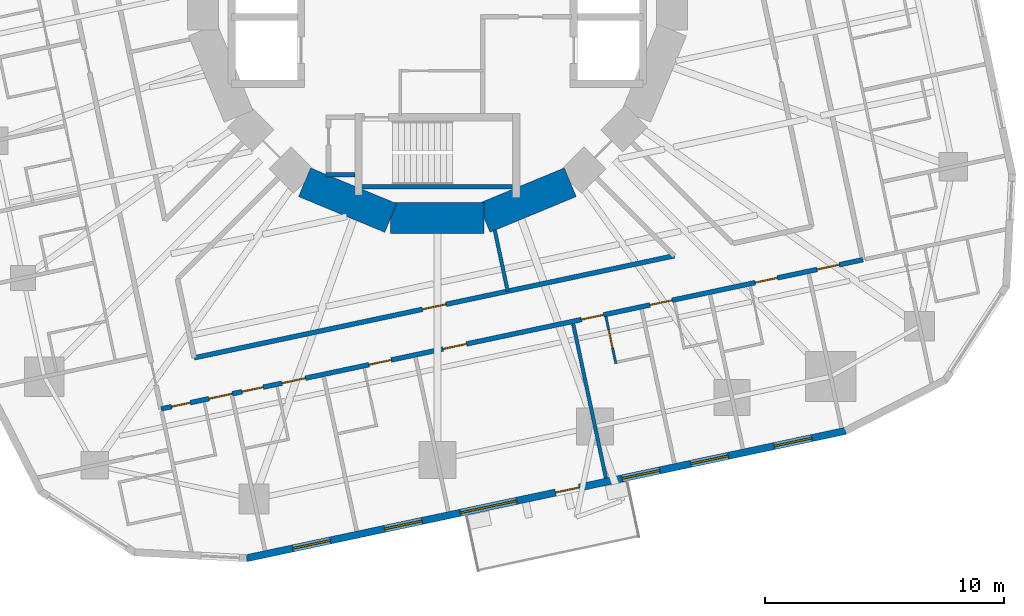
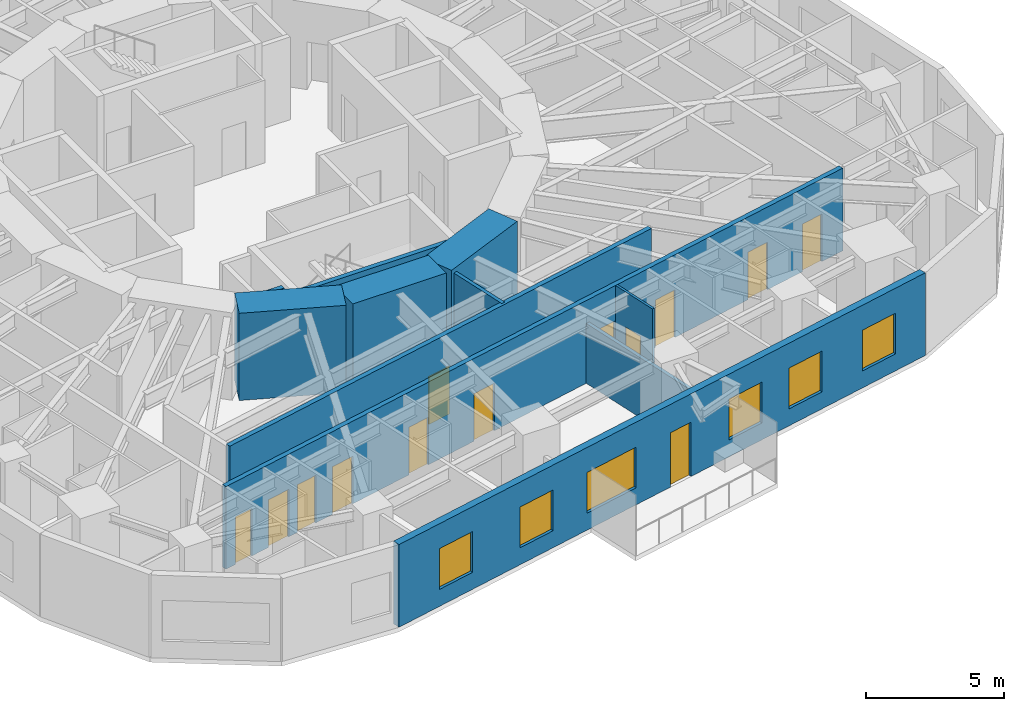
# One storey, part 5 of 14: 13 doors, 11 walls, 6 windows, 19 openings.
"""IFC4 building model written with IfcOpenShell, lengths in metres."""

from ifc_helpers import new_model, si_unit, direction, frame, frame_2d, origin, place, context, subcontext, project, spatial, rectangle, extrude, material, layer, layer_set, type_object, element, fill, save


model = new_model("IFC4")

# Units and contexts
model_context = context("Model", 3, precision=1e-05, world=origin(), true_north=direction((0.0, 1.0)))
body_context = subcontext(model_context, "Body", "Model", "MODEL_VIEW")
ifc_project = project(units=[si_unit("LENGTHUNIT", "METRE"), si_unit("AREAUNIT", "SQUARE_METRE"), si_unit("VOLUMEUNIT", "CUBIC_METRE"), si_unit("PLANEANGLEUNIT", "RADIAN"), si_unit("MASSUNIT", "GRAM", prefix="KILO")], contexts=[model_context])

# Site, building, storey
site_placement = place(None, origin())
site = spatial("IfcSite", under=ifc_project, at=site_placement, CompositionType="ELEMENT")
building_placement = place(site_placement, origin())
building = spatial("IfcBuilding", under=site, at=building_placement, Name="Nakasero Lantern House", CompositionType="ELEMENT")
storey_placement = place(building_placement, frame((0.0, 0.0, 128.10009765625)))
storey = spatial("IfcBuildingStorey", under=building, at=storey_placement, Name="L31", CompositionType="ELEMENT", Elevation=128.10009765625)

# Walls
ifc_material_1 = material(Name="Concrete C50/60", Category="concrete")
ifc_layer_1 = layer(ifc_material_1, 1.300048828125)
ifc_layer_set_1 = layer_set([ifc_layer_1], Name="Core wall 1300")
wall_type_1 = type_object("IfcWallType", Name="Core wall 1300", PredefinedType="SHEAR", material=ifc_layer_set_1)
for number, where, z_axis, x_axis, name in (
    (1, (-5.5556640625, -8.314697265625, 0.0), (0.0, 0.0, 1.0), (0.923876507187, -0.382690736062, 0.0), "Core wall L31 facet 11"),
    (2, (-1.950927734375, -9.807861328125, 0.0), (0.0, 0.0, 1.0), (1.0, 0.0, 0.0), "Core wall L31 facet 12"),
    (3, (1.950927734375, -9.807861328125, 0.0), (0.0, 0.0, 1.0), (0.923876507187, 0.382690736062, 0.0), "Core wall L31 facet 13"),
):
    element("IfcWall", number, at=place(storey_placement, frame(where, z_axis=z_axis, x_axis=x_axis)), inside=storey, type_object=wall_type_1, Name=name, PredefinedType="SHEAR", context=body_context, shape_type="SweptSolid", body=[
        extrude(rectangle(XDim=3.90185546875, YDim=1.300048828125, at=frame_2d((1.950927734375, 0.0))), origin(), (0.0, 0.0, 1.0), 3.849853515625),
    ])

# Wall, openings, doors
ifc_material_2 = material(Name="Blockwork", Category="masonry")
ifc_layer_2 = layer(ifc_material_2, 0.199951171875)
ifc_layer_set_2 = layer_set([ifc_layer_2], Name="Corridor wall 200")
wall_type_2 = type_object("IfcWallType", Name="Corridor wall 200", PredefinedType="PARTITIONING", material=ifc_layer_set_2)
wall_1_placement = place(storey_placement, frame((-11.553466796875, -17.790771484375, 0.0), z_axis=(0.0, 0.0, 1.0), x_axis=(0.978147639417, 0.207911508826, 0.0)))
wall_1 = element("IfcWall", 4, at=wall_1_placement, inside=storey, type_object=wall_type_2, Name="Corridor wall L31 CW3", PredefinedType="PARTITIONING", context=body_context, shape_type="SweptSolid", body=[
    extrude(rectangle(XDim=29.999755859375, YDim=0.199951171875, at=frame_2d((15.0, 0.0))), origin(), (0.0, 0.0, 1.0), 3.64990234375),
])
opening_1_placement = place(wall_1_placement, frame((0.449951171875, 0.0, 0.0)))
opening_1 = element("IfcOpeningElement", 5, at=opening_1_placement, cuts=wall_1, Name="Opening D15", PredefinedType="OPENING", context=body_context, shape_type="SweptSolid", body=[
    extrude(rectangle(XDim=0.800048828125, YDim=2.10009765625, at=frame_2d((0.39990234375, 1.050048828125))), frame((0.0, 0.119873046875, 0.0), z_axis=(0.0, -1.0, 0.0), x_axis=(1.0, 0.0, 0.0)), (0.0, 0.0, 1.0), 0.239990234375),
])
opening_2_placement = place(wall_1_placement, frame((2.050048828125, 0.0, 0.0)))
opening_2 = element("IfcOpeningElement", 6, at=opening_2_placement, cuts=wall_1, Name="Opening D07", PredefinedType="OPENING", context=body_context, shape_type="SweptSolid", body=[
    extrude(rectangle(XDim=1.0, YDim=2.10009765625, at=frame_2d((0.5, 1.050048828125))), frame((0.0, 0.119873046875, 0.0), z_axis=(0.0, -1.0, 0.0), x_axis=(1.0, 0.0, 0.0)), (0.0, 0.0, 1.0), 0.239990234375),
])
opening_3_placement = place(wall_1_placement, frame((3.466064453125, 0.0, 0.0)))
opening_3 = element("IfcOpeningElement", 7, at=opening_3_placement, cuts=wall_1, Name="Opening D16", PredefinedType="OPENING", context=body_context, shape_type="SweptSolid", body=[
    extrude(rectangle(XDim=0.89990234375, YDim=2.10009765625, at=frame_2d((0.449951171875, 1.050048828125))), frame((0.0, 0.119873046875, 0.0), z_axis=(0.0, -1.0, 0.0), x_axis=(1.0, 0.0, 0.0)), (0.0, 0.0, 1.0), 0.239990234375),
])
opening_4_placement = place(wall_1_placement, frame((5.166015625, 0.0, 0.0)))
opening_4 = element("IfcOpeningElement", 8, at=opening_4_placement, cuts=wall_1, Name="Opening D07", PredefinedType="OPENING", context=body_context, shape_type="SweptSolid", body=[
    extrude(rectangle(XDim=1.0, YDim=2.10009765625, at=frame_2d((0.5, 1.050048828125))), frame((0.0, 0.119873046875, 0.0), z_axis=(0.0, -1.0, 0.0), x_axis=(1.0, 0.0, 0.0)), (0.0, 0.0, 1.0), 0.239990234375),
])
opening_5_placement = place(wall_1_placement, frame((8.8857421875, 0.0, 0.0)))
opening_5 = element("IfcOpeningElement", 9, at=opening_5_placement, cuts=wall_1, Name="Opening D01", PredefinedType="OPENING", context=body_context, shape_type="SweptSolid", body=[
    extrude(rectangle(XDim=0.949951171875, YDim=2.10009765625, at=frame_2d((0.47509765625, 1.050048828125))), frame((0.0, 0.119873046875, 0.0), z_axis=(0.0, -1.0, 0.0), x_axis=(1.0, 0.0, 0.0)), (0.0, 0.0, 1.0), 0.239990234375),
])
opening_6_placement = place(wall_1_placement, frame((17.967529296875, 0.0, 0.0)))
opening_6 = element("IfcOpeningElement", 10, at=opening_6_placement, cuts=wall_1, Name="Opening D01", PredefinedType="OPENING", context=body_context, shape_type="SweptSolid", body=[
    extrude(rectangle(XDim=0.949951171875, YDim=2.10009765625, at=frame_2d((0.47509765625, 1.050048828125))), frame((0.0, 0.119873046875, 0.0), z_axis=(0.0, -1.0, 0.0), x_axis=(1.0, 0.0, 0.0)), (0.0, 0.0, 1.0), 0.239990234375),
])
opening_7_placement = place(wall_1_placement, frame((20.89404296875, 0.0, 0.0)))
opening_7 = element("IfcOpeningElement", 11, at=opening_7_placement, cuts=wall_1, Name="Opening D01", PredefinedType="OPENING", context=body_context, shape_type="SweptSolid", body=[
    extrude(rectangle(XDim=0.949951171875, YDim=2.10009765625, at=frame_2d((0.47509765625, 1.050048828125))), frame((0.0, 0.119873046875, 0.0), z_axis=(0.0, -1.0, 0.0), x_axis=(1.0, 0.0, 0.0)), (0.0, 0.0, 1.0), 0.239990234375),
])
opening_8_placement = place(wall_1_placement, frame((25.395263671875, 0.0, 0.0)))
opening_8 = element("IfcOpeningElement", 12, at=opening_8_placement, cuts=wall_1, Name="Opening D01", PredefinedType="OPENING", context=body_context, shape_type="SweptSolid", body=[
    extrude(rectangle(XDim=0.949951171875, YDim=2.10009765625, at=frame_2d((0.47509765625, 1.050048828125))), frame((0.0, 0.119873046875, 0.0), z_axis=(0.0, -1.0, 0.0), x_axis=(1.0, 0.0, 0.0)), (0.0, 0.0, 1.0), 0.239990234375),
])
opening_9_placement = place(wall_1_placement, frame((28.038330078125, 0.0, 0.0)))
opening_9 = element("IfcOpeningElement", 13, at=opening_9_placement, cuts=wall_1, Name="Opening D01", PredefinedType="OPENING", context=body_context, shape_type="SweptSolid", body=[
    extrude(rectangle(XDim=0.949951171875, YDim=2.10009765625, at=frame_2d((0.47509765625, 1.050048828125))), frame((0.0, 0.119873046875, 0.0), z_axis=(0.0, -1.0, 0.0), x_axis=(1.0, 0.0, 0.0)), (0.0, 0.0, 1.0), 0.239990234375),
])
opening_10_placement = place(wall_1_placement, frame((12.05517578125, 0.0, 0.0)))
opening_10 = element("IfcOpeningElement", 14, at=opening_10_placement, cuts=wall_1, Name="Opening D03", PredefinedType="OPENING", context=body_context, shape_type="SweptSolid", body=[
    extrude(rectangle(XDim=1.0, YDim=2.10009765625, at=frame_2d((0.5, 1.050048828125))), frame((0.0, 0.119873046875, 0.0), z_axis=(0.0, -1.0, 0.0), x_axis=(1.0, 0.0, 0.0)), (0.0, 0.0, 1.0), 0.239990234375),
])
ifc_material_3 = material(Name="Timber C24", Category="wood")
door_type_1 = type_object("IfcDoorType", Name="Accessible WC door 900", OperationType="SINGLE_SWING_RIGHT", PredefinedType="DOOR", material=ifc_material_3)
door_1_placement = place(opening_3_placement, origin())
door_1 = element("IfcDoor", 15, at=door_1_placement, inside=storey, type_object=door_type_1, Name="Door L31 DS3-01", OperationType="SINGLE_SWING_LEFT", OverallHeight=2.10009765625, OverallWidth=0.89990234375, PredefinedType="DOOR", context=body_context, shape_type="SweptSolid", body=[
    extrude(rectangle(XDim=0.89990234375, YDim=2.10009765625, at=frame_2d((0.449951171875, 1.050048828125))), frame((0.0, 0.02490234375, 0.0), z_axis=(0.0, -1.0, 0.0), x_axis=(1.0, 0.0, 0.0)), (0.0, 0.0, 1.0), 0.050048828125),
])
fill(opening_3, door_1)
ifc_material_4 = material(Name="Timber C24", Category="wood")
door_type_2 = type_object("IfcDoorType", Name="Bedroom door FD30S 950", OperationType="SINGLE_SWING_LEFT", PredefinedType="DOOR", material=ifc_material_4)
door_2_placement = place(opening_5_placement, origin())
door_2 = element("IfcDoor", 16, at=door_2_placement, inside=storey, type_object=door_type_2, Name="Door L31 D3-02", OperationType="SINGLE_SWING_LEFT", OverallHeight=2.10009765625, OverallWidth=0.949951171875, PredefinedType="DOOR", context=body_context, shape_type="SweptSolid", body=[
    extrude(rectangle(XDim=0.949951171875, YDim=2.10009765625, at=frame_2d((0.47509765625, 1.050048828125))), frame((0.0, 0.02490234375, 0.0), z_axis=(0.0, -1.0, 0.0), x_axis=(1.0, 0.0, 0.0)), (0.0, 0.0, 1.0), 0.050048828125),
])
fill(opening_5, door_2)
door_3_placement = place(opening_6_placement, origin())
door_3 = element("IfcDoor", 17, at=door_3_placement, inside=storey, type_object=door_type_2, Name="Door L31 D3-05", OperationType="SINGLE_SWING_RIGHT", OverallHeight=2.10009765625, OverallWidth=0.949951171875, PredefinedType="DOOR", context=body_context, shape_type="SweptSolid", body=[
    extrude(rectangle(XDim=0.949951171875, YDim=2.10009765625, at=frame_2d((0.47509765625, 1.050048828125))), frame((0.0, 0.02490234375, 0.0), z_axis=(0.0, -1.0, 0.0), x_axis=(1.0, 0.0, 0.0)), (0.0, 0.0, 1.0), 0.050048828125),
])
fill(opening_6, door_3)
door_4_placement = place(opening_7_placement, origin())
door_4 = element("IfcDoor", 18, at=door_4_placement, inside=storey, type_object=door_type_2, Name="Door L31 D3-06", OperationType="SINGLE_SWING_RIGHT", OverallHeight=2.10009765625, OverallWidth=0.949951171875, PredefinedType="DOOR", context=body_context, shape_type="SweptSolid", body=[
    extrude(rectangle(XDim=0.949951171875, YDim=2.10009765625, at=frame_2d((0.47509765625, 1.050048828125))), frame((0.0, 0.02490234375, 0.0), z_axis=(0.0, -1.0, 0.0), x_axis=(1.0, 0.0, 0.0)), (0.0, 0.0, 1.0), 0.050048828125),
])
fill(opening_7, door_4)
door_5_placement = place(opening_8_placement, origin())
door_5 = element("IfcDoor", 19, at=door_5_placement, inside=storey, type_object=door_type_2, Name="Door L31 D3-07", OperationType="SINGLE_SWING_RIGHT", OverallHeight=2.10009765625, OverallWidth=0.949951171875, PredefinedType="DOOR", context=body_context, shape_type="SweptSolid", body=[
    extrude(rectangle(XDim=0.949951171875, YDim=2.10009765625, at=frame_2d((0.47509765625, 1.050048828125))), frame((0.0, 0.02490234375, 0.0), z_axis=(0.0, -1.0, 0.0), x_axis=(1.0, 0.0, 0.0)), (0.0, 0.0, 1.0), 0.050048828125),
])
fill(opening_8, door_5)
door_6_placement = place(opening_9_placement, origin())
door_6 = element("IfcDoor", 20, at=door_6_placement, inside=storey, type_object=door_type_2, Name="Door L31 D3-08", OperationType="SINGLE_SWING_RIGHT", OverallHeight=2.10009765625, OverallWidth=0.949951171875, PredefinedType="DOOR", context=body_context, shape_type="SweptSolid", body=[
    extrude(rectangle(XDim=0.949951171875, YDim=2.10009765625, at=frame_2d((0.47509765625, 1.050048828125))), frame((0.0, 0.02490234375, 0.0), z_axis=(0.0, -1.0, 0.0), x_axis=(1.0, 0.0, 0.0)), (0.0, 0.0, 1.0), 0.050048828125),
])
fill(opening_9, door_6)
ifc_material_5 = material(Name="Timber C24", Category="wood")
door_type_3 = type_object("IfcDoorType", Name="Cleaner's store door FD30S 800", OperationType="SINGLE_SWING_LEFT", PredefinedType="DOOR", material=ifc_material_5)
door_7_placement = place(opening_1_placement, origin())
door_7 = element("IfcDoor", 21, at=door_7_placement, inside=storey, type_object=door_type_3, Name="Door L31 DS3-00", OperationType="SINGLE_SWING_LEFT", OverallHeight=2.10009765625, OverallWidth=0.800048828125, PredefinedType="DOOR", context=body_context, shape_type="SweptSolid", body=[
    extrude(rectangle(XDim=0.800048828125, YDim=2.10009765625, at=frame_2d((0.39990234375, 1.050048828125))), frame((0.0, 0.02490234375, 0.0), z_axis=(0.0, -1.0, 0.0), x_axis=(1.0, 0.0, 0.0)), (0.0, 0.0, 1.0), 0.050048828125),
])
fill(opening_1, door_7)
ifc_material_6 = material(Name="Timber C24", Category="wood")
door_type_4 = type_object("IfcDoorType", Name="Lounge door FD30S 1000", OperationType="SINGLE_SWING_LEFT", PredefinedType="DOOR", material=ifc_material_6)
door_8_placement = place(opening_10_placement, origin())
door_8 = element("IfcDoor", 22, at=door_8_placement, inside=storey, type_object=door_type_4, Name="Door L31 DK3", OperationType="SINGLE_SWING_LEFT", OverallHeight=2.10009765625, OverallWidth=1.0, PredefinedType="DOOR", context=body_context, shape_type="SweptSolid", body=[
    extrude(rectangle(XDim=1.0, YDim=2.10009765625, at=frame_2d((0.5, 1.050048828125))), frame((0.0, 0.02490234375, 0.0), z_axis=(0.0, -1.0, 0.0), x_axis=(1.0, 0.0, 0.0)), (0.0, 0.0, 1.0), 0.050048828125),
])
fill(opening_10, door_8)
ifc_material_7 = material(Name="Timber C24", Category="wood")
door_type_5 = type_object("IfcDoorType", Name="Room door FD30S 1000", OperationType="SINGLE_SWING_LEFT", PredefinedType="DOOR", material=ifc_material_7)
door_9_placement = place(opening_2_placement, origin())
door_9 = element("IfcDoor", 23, at=door_9_placement, inside=storey, type_object=door_type_5, Name="Door L31 D3-00", OperationType="SINGLE_SWING_LEFT", OverallHeight=2.10009765625, OverallWidth=1.0, PredefinedType="DOOR", context=body_context, shape_type="SweptSolid", body=[
    extrude(rectangle(XDim=1.0, YDim=2.10009765625, at=frame_2d((0.5, 1.050048828125))), frame((0.0, 0.02490234375, 0.0), z_axis=(0.0, -1.0, 0.0), x_axis=(1.0, 0.0, 0.0)), (0.0, 0.0, 1.0), 0.050048828125),
])
fill(opening_2, door_9)
door_10_placement = place(opening_4_placement, origin())
door_10 = element("IfcDoor", 24, at=door_10_placement, inside=storey, type_object=door_type_5, Name="Door L31 D3-01", OperationType="SINGLE_SWING_LEFT", OverallHeight=2.10009765625, OverallWidth=1.0, PredefinedType="DOOR", context=body_context, shape_type="SweptSolid", body=[
    extrude(rectangle(XDim=1.0, YDim=2.10009765625, at=frame_2d((0.5, 1.050048828125))), frame((0.0, 0.02490234375, 0.0), z_axis=(0.0, -1.0, 0.0), x_axis=(1.0, 0.0, 0.0)), (0.0, 0.0, 1.0), 0.050048828125),
])
fill(opening_4, door_10)

# Wall, opening, door
wall_2_placement = place(storey_placement, frame((-10.1669921875, -15.656005859375, 0.0), z_axis=(0.0, 0.0, 1.0), x_axis=(0.978147903572, 0.207910266073, 0.0)))
wall_2 = element("IfcWall", 25, at=wall_2_placement, inside=storey, type_object=wall_type_2, Name="Corridor wall L31 IW3-0", PredefinedType="PARTITIONING", context=body_context, shape_type="SweptSolid", body=[
    extrude(rectangle(XDim=20.520263671875, YDim=0.199951171875, at=frame_2d((10.26025390625, 0.0))), origin(), (0.0, 0.0, 1.0), 3.64990234375),
])
opening_11_placement = place(wall_2_placement, frame((9.760009765625, 0.0, 0.0)))
opening_11 = element("IfcOpeningElement", 26, at=opening_11_placement, cuts=wall_2, Name="Opening D07", PredefinedType="OPENING", context=body_context, shape_type="SweptSolid", body=[
    extrude(rectangle(XDim=1.0, YDim=2.10009765625, at=frame_2d((0.5, 1.050048828125))), frame((0.0, 0.119873046875, 0.0), z_axis=(0.0, -1.0, 0.0), x_axis=(1.0, 0.0, 0.0)), (0.0, 0.0, 1.0), 0.239990234375),
])
door_11_placement = place(opening_11_placement, origin())
door_11 = element("IfcDoor", 27, at=door_11_placement, inside=storey, type_object=door_type_5, Name="Door L31 DI1", OperationType="SINGLE_SWING_RIGHT", OverallHeight=2.10009765625, OverallWidth=1.0, PredefinedType="DOOR", context=body_context, shape_type="SweptSolid", body=[
    extrude(rectangle(XDim=1.0, YDim=2.10009765625, at=frame_2d((0.5, 1.050048828125))), frame((0.0, 0.02490234375, 0.0), z_axis=(0.0, -1.0, 0.0), x_axis=(1.0, 0.0, 0.0)), (0.0, 0.0, 1.0), 0.050048828125),
])
fill(opening_11, door_11)

ifc_material_8 = material(Name="Blockwork", Category="masonry")
ifc_layer_3 = layer(ifc_material_8, 0.10009765625)
ifc_layer_set_3 = layer_set([ifc_layer_3], Name="En-suite wall 100")
wall_type_3 = type_object("IfcWallType", Name="En-suite wall 100", PredefinedType="PARTITIONING", material=ifc_layer_set_3)
wall_3_placement = place(storey_placement, frame((7.046142578125, -13.939697265625, 0.0), z_axis=(0.0, 0.0, 1.0), x_axis=(0.207886494942, -0.978152955943, 0.0)))
wall_3 = element("IfcWall", 28, at=wall_3_placement, inside=storey, type_object=wall_type_3, Name="En-suite wall L31 ES3-05", PredefinedType="PARTITIONING", context=body_context, shape_type="SweptSolid", body=[
    extrude(rectangle(XDim=2.0, YDim=0.10009765625, at=frame_2d((1.0, 0.0))), origin(), (0.0, 0.0, 1.0), 3.64990234375),
])
opening_12_placement = place(wall_3_placement, frame((0.550048828125, 0.0, 0.0)))
opening_12 = element("IfcOpeningElement", 29, at=opening_12_placement, cuts=wall_3, Name="Opening D02", PredefinedType="OPENING", context=body_context, shape_type="SweptSolid", body=[
    extrude(rectangle(XDim=0.800048828125, YDim=2.10009765625, at=frame_2d((0.39990234375, 1.050048828125))), frame((0.0, 0.070068359375, 0.0), z_axis=(0.0, -1.0, 0.0), x_axis=(1.0, 0.0, 0.0)), (0.0, 0.0, 1.0), 0.14013671875),
])
ifc_material_9 = material(Name="Timber C24", Category="wood")
door_type_6 = type_object("IfcDoorType", Name="En-suite door 800", OperationType="SINGLE_SWING_RIGHT", PredefinedType="DOOR", material=ifc_material_9)
door_12_placement = place(opening_12_placement, origin())
door_12 = element("IfcDoor", 30, at=door_12_placement, inside=storey, type_object=door_type_6, Name="Door L31 DE3-05", OperationType="SINGLE_SWING_LEFT", OverallHeight=2.10009765625, OverallWidth=0.800048828125, PredefinedType="DOOR", context=body_context, shape_type="SweptSolid", body=[
    extrude(rectangle(XDim=0.800048828125, YDim=2.10009765625, at=frame_2d((0.39990234375, 1.050048828125))), frame((0.0, 0.02490234375, 0.0), z_axis=(0.0, -1.0, 0.0), x_axis=(1.0, 0.0, 0.0)), (0.0, 0.0, 1.0), 0.050048828125),
])
fill(opening_12, door_12)

# Wall, openings, door, windows
ifc_material_10 = material(Name="Aluminium rainscreen on blockwork", Category="masonry")
ifc_layer_4 = layer(ifc_material_10, 0.300048828125)
ifc_layer_set_4 = layer_set([ifc_layer_4], Name="Facade wall 300")
wall_type_4 = type_object("IfcWallType", Name="Facade wall 300", PredefinedType="SOLIDWALL", material=ifc_layer_set_4)
wall_4_placement = place(storey_placement, frame((-7.9775390625, -24.03369140625, 0.0), z_axis=(0.0, 0.0, 1.0), x_axis=(0.978148160964, 0.207909055127, 0.0)))
wall_4 = element("IfcWall", 31, at=wall_4_placement, inside=storey, type_object=wall_type_4, Name="Facade wall L31 FW3S", PredefinedType="SOLIDWALL", context=body_context, shape_type="SweptSolid", body=[
    extrude(rectangle(XDim=25.60009765625, YDim=0.300048828125, at=frame_2d((12.800048828125, 0.0))), origin(), (0.0, 0.0, 1.0), 3.64990234375),
])
opening_13_placement = place(wall_4_placement, frame((1.975830078125, 0.0, 0.75)))
opening_13 = element("IfcOpeningElement", 32, at=opening_13_placement, cuts=wall_4, Name="Opening W01", PredefinedType="OPENING", context=body_context, shape_type="SweptSolid", body=[
    extrude(rectangle(XDim=1.60009765625, YDim=1.800048828125, at=frame_2d((0.800048828125, 0.89990234375))), frame((0.0, 0.169921875, 0.0), z_axis=(0.0, -1.0, 0.0), x_axis=(1.0, 0.0, 0.0)), (0.0, 0.0, 1.0), 0.340087890625),
])
opening_14_placement = place(wall_4_placement, frame((5.8955078125, 0.0, 0.75)))
opening_14 = element("IfcOpeningElement", 33, at=opening_14_placement, cuts=wall_4, Name="Opening W01", PredefinedType="OPENING", context=body_context, shape_type="SweptSolid", body=[
    extrude(rectangle(XDim=1.60009765625, YDim=1.800048828125, at=frame_2d((0.800048828125, 0.89990234375))), frame((0.0, 0.169921875, 0.0), z_axis=(0.0, -1.0, 0.0), x_axis=(1.0, 0.0, 0.0)), (0.0, 0.0, 1.0), 0.340087890625),
])
opening_15_placement = place(wall_4_placement, frame((16.0556640625, 0.0, 0.75)))
opening_15 = element("IfcOpeningElement", 34, at=opening_15_placement, cuts=wall_4, Name="Opening W01", PredefinedType="OPENING", context=body_context, shape_type="SweptSolid", body=[
    extrude(rectangle(XDim=1.60009765625, YDim=1.800048828125, at=frame_2d((0.800048828125, 0.89990234375))), frame((0.0, 0.169921875, 0.0), z_axis=(0.0, -1.0, 0.0), x_axis=(1.0, 0.0, 0.0)), (0.0, 0.0, 1.0), 0.340087890625),
])
opening_16_placement = place(wall_4_placement, frame((18.982177734375, 0.0, 0.75)))
opening_16 = element("IfcOpeningElement", 35, at=opening_16_placement, cuts=wall_4, Name="Opening W01", PredefinedType="OPENING", context=body_context, shape_type="SweptSolid", body=[
    extrude(rectangle(XDim=1.60009765625, YDim=1.800048828125, at=frame_2d((0.800048828125, 0.89990234375))), frame((0.0, 0.169921875, 0.0), z_axis=(0.0, -1.0, 0.0), x_axis=(1.0, 0.0, 0.0)), (0.0, 0.0, 1.0), 0.340087890625),
])
opening_17_placement = place(wall_4_placement, frame((22.554443359375, 0.0, 0.75)))
opening_17 = element("IfcOpeningElement", 36, at=opening_17_placement, cuts=wall_4, Name="Opening W01", PredefinedType="OPENING", context=body_context, shape_type="SweptSolid", body=[
    extrude(rectangle(XDim=1.60009765625, YDim=1.800048828125, at=frame_2d((0.800048828125, 0.89990234375))), frame((0.0, 0.169921875, 0.0), z_axis=(0.0, -1.0, 0.0), x_axis=(1.0, 0.0, 0.0)), (0.0, 0.0, 1.0), 0.340087890625),
])
opening_18_placement = place(wall_4_placement, frame((9.139404296875, 0.0, 0.75)))
opening_18 = element("IfcOpeningElement", 37, at=opening_18_placement, cuts=wall_4, Name="Opening W03", PredefinedType="OPENING", context=body_context, shape_type="SweptSolid", body=[
    extrude(rectangle(XDim=2.39990234375, YDim=1.800048828125, at=frame_2d((1.199951171875, 0.89990234375))), frame((0.0, 0.169921875, 0.0), z_axis=(0.0, -1.0, 0.0), x_axis=(1.0, 0.0, 0.0)), (0.0, 0.0, 1.0), 0.340087890625),
])
opening_19_placement = place(wall_4_placement, frame((13.208251953125, 0.0, 0.0)))
opening_19 = element("IfcOpeningElement", 38, at=opening_19_placement, cuts=wall_4, Name="Opening D04", PredefinedType="OPENING", context=body_context, shape_type="SweptSolid", body=[
    extrude(rectangle(XDim=1.0, YDim=2.39990234375, at=frame_2d((0.5, 1.199951171875))), frame((0.0, 0.169921875, 0.0), z_axis=(0.0, -1.0, 0.0), x_axis=(1.0, 0.0, 0.0)), (0.0, 0.0, 1.0), 0.340087890625),
])
ifc_material_11 = material(Name="Aluminium 6063-T6 and glass", Category="aluminium")
door_type_7 = type_object("IfcDoorType", Name="Balcony door 1000x2400", OperationType="SINGLE_SWING_RIGHT", PredefinedType="DOOR", material=ifc_material_11)
door_13_placement = place(opening_19_placement, origin())
door_13 = element("IfcDoor", 39, at=door_13_placement, inside=storey, type_object=door_type_7, Name="Balcony door L31 DB3", OperationType="SINGLE_SWING_RIGHT", OverallHeight=2.39990234375, OverallWidth=1.0, PredefinedType="DOOR", context=body_context, shape_type="SweptSolid", body=[
    extrude(rectangle(XDim=1.0, YDim=2.39990234375, at=frame_2d((0.5, 1.199951171875))), frame((0.0, 0.02490234375, 0.0), z_axis=(0.0, -1.0, 0.0), x_axis=(1.0, 0.0, 0.0)), (0.0, 0.0, 1.0), 0.050048828125),
])
fill(opening_19, door_13)
ifc_material_12 = material(Name="Aluminium 6063-T6 and glass", Category="aluminium")
window_type_1 = type_object("IfcWindowType", Name="Bedroom window 1600x1800", PartitioningType="SINGLE_PANEL", PredefinedType="WINDOW", material=ifc_material_12)
window_1_placement = place(opening_13_placement, origin())
window_1 = element("IfcWindow", 40, at=window_1_placement, inside=storey, type_object=window_type_1, Name="Window L31 WN3-01", OverallHeight=1.800048828125, OverallWidth=1.60009765625, PartitioningType="SINGLE_PANEL", PredefinedType="WINDOW", context=body_context, shape_type="SweptSolid", body=[
    extrude(rectangle(XDim=1.60009765625, YDim=1.800048828125, at=frame_2d((0.800048828125, 0.89990234375))), frame((0.0, 0.030029296875, 0.0), z_axis=(0.0, -1.0, 0.0), x_axis=(1.0, 0.0, 0.0)), (0.0, 0.0, 1.0), 0.06005859375),
])
fill(opening_13, window_1)
window_2_placement = place(opening_14_placement, origin())
window_2 = element("IfcWindow", 41, at=window_2_placement, inside=storey, type_object=window_type_1, Name="Window L31 WN3-02", OverallHeight=1.800048828125, OverallWidth=1.60009765625, PartitioningType="SINGLE_PANEL", PredefinedType="WINDOW", context=body_context, shape_type="SweptSolid", body=[
    extrude(rectangle(XDim=1.60009765625, YDim=1.800048828125, at=frame_2d((0.800048828125, 0.89990234375))), frame((0.0, 0.030029296875, 0.0), z_axis=(0.0, -1.0, 0.0), x_axis=(1.0, 0.0, 0.0)), (0.0, 0.0, 1.0), 0.06005859375),
])
fill(opening_14, window_2)
window_3_placement = place(opening_15_placement, origin())
window_3 = element("IfcWindow", 42, at=window_3_placement, inside=storey, type_object=window_type_1, Name="Window L31 WN3-05", OverallHeight=1.800048828125, OverallWidth=1.60009765625, PartitioningType="SINGLE_PANEL", PredefinedType="WINDOW", context=body_context, shape_type="SweptSolid", body=[
    extrude(rectangle(XDim=1.60009765625, YDim=1.800048828125, at=frame_2d((0.800048828125, 0.89990234375))), frame((0.0, 0.030029296875, 0.0), z_axis=(0.0, -1.0, 0.0), x_axis=(1.0, 0.0, 0.0)), (0.0, 0.0, 1.0), 0.06005859375),
])
fill(opening_15, window_3)
window_4_placement = place(opening_16_placement, origin())
window_4 = element("IfcWindow", 43, at=window_4_placement, inside=storey, type_object=window_type_1, Name="Window L31 WN3-06", OverallHeight=1.800048828125, OverallWidth=1.60009765625, PartitioningType="SINGLE_PANEL", PredefinedType="WINDOW", context=body_context, shape_type="SweptSolid", body=[
    extrude(rectangle(XDim=1.60009765625, YDim=1.800048828125, at=frame_2d((0.800048828125, 0.89990234375))), frame((0.0, 0.030029296875, 0.0), z_axis=(0.0, -1.0, 0.0), x_axis=(1.0, 0.0, 0.0)), (0.0, 0.0, 1.0), 0.06005859375),
])
fill(opening_16, window_4)
window_5_placement = place(opening_17_placement, origin())
window_5 = element("IfcWindow", 44, at=window_5_placement, inside=storey, type_object=window_type_1, Name="Window L31 WN3-07", OverallHeight=1.800048828125, OverallWidth=1.60009765625, PartitioningType="SINGLE_PANEL", PredefinedType="WINDOW", context=body_context, shape_type="SweptSolid", body=[
    extrude(rectangle(XDim=1.60009765625, YDim=1.800048828125, at=frame_2d((0.800048828125, 0.89990234375))), frame((0.0, 0.030029296875, 0.0), z_axis=(0.0, -1.0, 0.0), x_axis=(1.0, 0.0, 0.0)), (0.0, 0.0, 1.0), 0.06005859375),
])
fill(opening_17, window_5)
ifc_material_13 = material(Name="Aluminium 6063-T6 and glass", Category="aluminium")
window_type_2 = type_object("IfcWindowType", Name="Lounge window 2400x1800", PartitioningType="SINGLE_PANEL", PredefinedType="WINDOW", material=ifc_material_13)
window_6_placement = place(opening_18_placement, origin())
window_6 = element("IfcWindow", 45, at=window_6_placement, inside=storey, type_object=window_type_2, Name="Window L31 WK3", OverallHeight=1.800048828125, OverallWidth=2.39990234375, PartitioningType="SINGLE_PANEL", PredefinedType="WINDOW", context=body_context, shape_type="SweptSolid", body=[
    extrude(rectangle(XDim=2.39990234375, YDim=1.800048828125, at=frame_2d((1.199951171875, 0.89990234375))), frame((0.0, 0.030029296875, 0.0), z_axis=(0.0, -1.0, 0.0), x_axis=(1.0, 0.0, 0.0)), (0.0, 0.0, 1.0), 0.06005859375),
])
fill(opening_18, window_6)

# Walls
ifc_material_14 = material(Name="Blockwork", Category="masonry")
ifc_layer_5 = layer(ifc_material_14, 0.199951171875)
ifc_layer_set_5 = layer_set([ifc_layer_5], Name="Fire lobby wall 200")
wall_type_5 = type_object("IfcWallType", Name="Fire lobby wall 200", PredefinedType="PARTITIONING", material=ifc_layer_set_5)
wall_5_placement = place(storey_placement, frame((-3.449951171875, -8.0, 0.0), z_axis=(0.0, 0.0, 1.0), x_axis=(-1.0, 0.0, 0.0)))
element("IfcWall", 46, at=wall_5_placement, inside=storey, type_object=wall_type_5, Name="Fire lobby wall L31 W-RS2S", PredefinedType="PARTITIONING", context=body_context, shape_type="SweptSolid", body=[
    extrude(rectangle(XDim=1.199951171875, YDim=0.199951171875, at=frame_2d((0.60009765625, 0.0))), origin(), (0.0, 0.0, 1.0), 3.64990234375),
])
wall_6_placement = place(storey_placement, frame((-3.300048828125, -8.5, 0.0), z_axis=(0.0, 0.0, 1.0), x_axis=(1.0, 0.0, 0.0)))
element("IfcWall", 47, at=wall_6_placement, inside=storey, type_object=wall_type_5, Name="Fire lobby wall L31 W-STS", PredefinedType="PARTITIONING", context=body_context, shape_type="SweptSolid", body=[
    extrude(rectangle(XDim=6.60009765625, YDim=0.199951171875, at=frame_2d((3.300048828125, 0.0))), origin(), (0.0, 0.0, 1.0), 3.64990234375),
])
ifc_material_15 = material(Name="Blockwork", Category="masonry")
ifc_layer_6 = layer(ifc_material_15, 0.14990234375)
ifc_layer_set_6 = layer_set([ifc_layer_6], Name="Party wall 150")
wall_type_6 = type_object("IfcWallType", Name="Party wall 150", PredefinedType="PARTITIONING", material=ifc_layer_set_6)
wall_7_placement = place(storey_placement, frame((5.67529296875, -14.23095703125, 0.0), z_axis=(0.0, 0.0, 1.0), x_axis=(0.207924673876, -0.978144841009, 0.0)))
element("IfcWall", 48, at=wall_7_placement, inside=storey, type_object=wall_type_6, Name="Party wall L31 PW3-05", PredefinedType="PARTITIONING", context=body_context, shape_type="SweptSolid", body=[
    extrude(rectangle(XDim=6.60009765625, YDim=0.14990234375, at=frame_2d((3.300048828125, 0.0))), origin(), (0.0, 0.0, 1.0), 2.641845703125),
])
wall_8_placement = place(storey_placement, frame((2.940185546875, -12.869873046875, 0.0), z_axis=(0.0, 0.0, 1.0), x_axis=(-0.207996830597, 0.978129499842, 0.0)))
element("IfcWall", 49, at=wall_8_placement, inside=storey, type_object=wall_type_6, Name="Party wall L31 IM3", PredefinedType="PARTITIONING", context=body_context, shape_type="SweptSolid", body=[
    extrude(rectangle(XDim=2.60107421875, YDim=0.14990234375, at=frame_2d((1.300537109375, 0.0))), origin(), (0.0, 0.0, 1.0), 3.64990234375),
])

save(model, "model.ifc")
